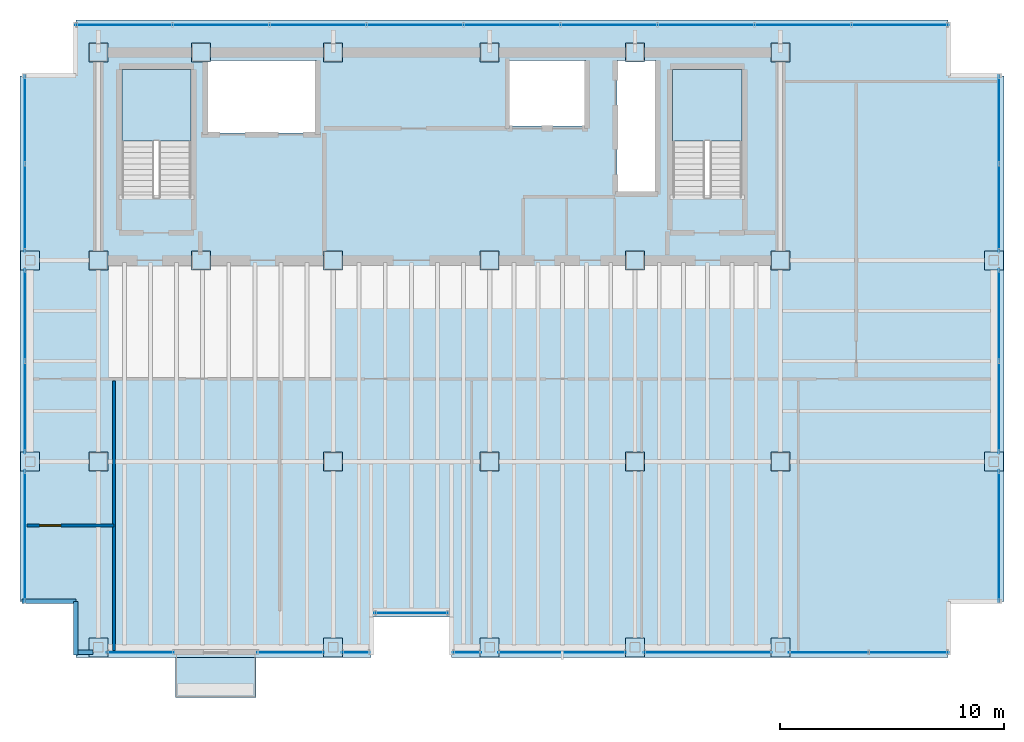
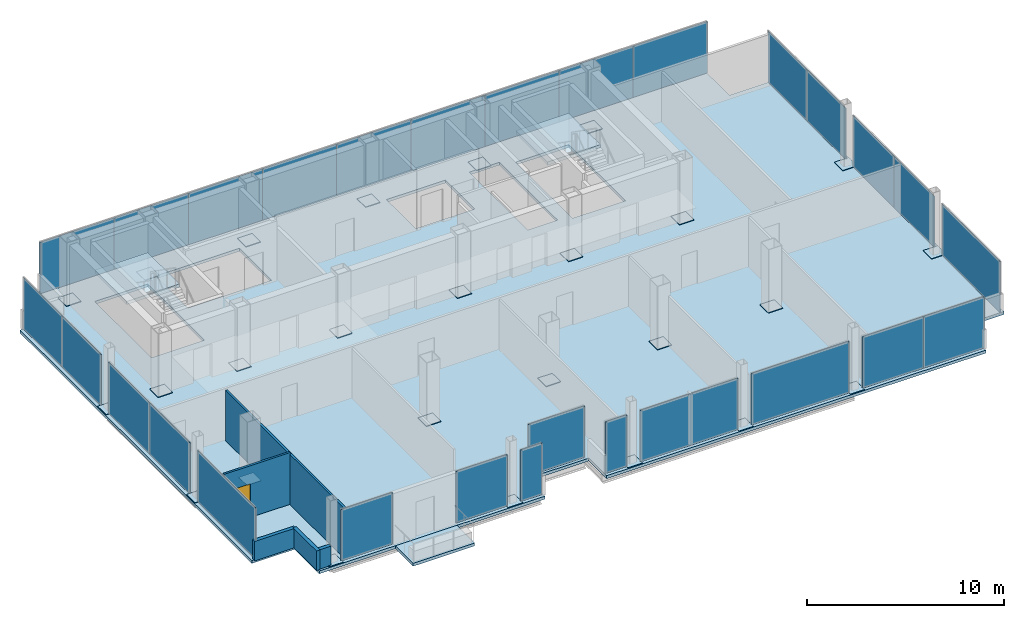
# One storey, part 12 of 15: 54 plates, 5 walls, 4 slabs, 1 door, 6 openings, 17 elements without a shape of their own.
"""IFC4 building model written with IfcOpenShell, lengths in metres."""

from ifc_helpers import new_model, si_unit, direction, frame, frame_2d, origin, origin_2d, place, context, subcontext, project, spatial, polyline, rectangle, outline, extrude, material, layer, layer_set, type_object, element, fill, aggregate, save


model = new_model("IFC4")

# Units and contexts
model_context = context("Model", 3, precision=1e-05, world=origin(), true_north=direction((0.0, 1.0)))
body_context = subcontext(model_context, "Body", "Model", "MODEL_VIEW")
ifc_project = project(units=[si_unit("LENGTHUNIT", "METRE"), si_unit("AREAUNIT", "SQUARE_METRE"), si_unit("VOLUMEUNIT", "CUBIC_METRE"), si_unit("PLANEANGLEUNIT", "RADIAN"), si_unit("MASSUNIT", "GRAM", prefix="KILO")], contexts=[model_context])

# Site, building, storey
site_placement = place(None, origin())
site = spatial("IfcSite", under=ifc_project, at=site_placement, CompositionType="ELEMENT")
building_placement = place(site_placement, origin())
building = spatial("IfcBuilding", under=site, at=building_placement, Name="Noeulbin Bourse Tower", CompositionType="ELEMENT")
storey_placement = place(building_placement, frame((0.0, 0.0, 215.0)))
storey = spatial("IfcBuildingStorey", under=building, at=storey_placement, Name="L53", CompositionType="ELEMENT", Elevation=215.0)

# Curtain wall, plate
ifc_material_1 = material(Name="High-Selectivity Low-Iron Glazing", Category="glass")
curtain_wall_type = type_object("IfcCurtainWallType", Name="CW-SYS-4", PredefinedType="NOTDEFINED", material=ifc_material_1)
curtain_wall_1_placement = place(storey_placement, origin())
curtain_wall_1 = element("IfcCurtainWall", 1, at=curtain_wall_1_placement, inside=storey, type_object=curtain_wall_type, Name="Unitised Curtain Wall CW-L53-SREC", PredefinedType="NOTDEFINED")
ifc_layer_1 = layer(ifc_material_1, 0.035888671875)
ifc_layer_set_1 = layer_set([ifc_layer_1], Name="High-Selectivity Low-Iron Glazing")
plate_type_1 = type_object("IfcPlateType", Name="CW-SYS-4-PNL", PredefinedType="CURTAIN_PANEL", material=ifc_layer_set_1)
plate_1_placement = place(storey_placement, frame((27.5, 13.22998046875, 0.0), z_axis=(0.0, 0.0, 1.0), x_axis=(1.0, 0.0, 0.0)))
plate_1 = element("IfcPlate", 2, at=plate_1_placement, type_object=plate_type_1, Name="Glazed Curtain Panel CW-L53-SREC-P00", PredefinedType="CURTAIN_PANEL", context=body_context, shape_type="SweptSolid", body=[
    extrude(rectangle(XDim=3.300048828125, YDim=0.035888671875, at=origin_2d()), origin(), (0.0, 0.0, 1.0), 3.179931640625),
])
aggregate(curtain_wall_1, [plate_1])

curtain_wall_2_placement = place(storey_placement, origin())
curtain_wall_2 = element("IfcCurtainWall", 3, at=curtain_wall_2_placement, inside=storey, type_object=curtain_wall_type, Name="Unitised Curtain Wall CW-L53-S1", PredefinedType="NOTDEFINED")
plate_2_placement = place(storey_placement, frame((15.392578125, 11.469970703125, 0.0), z_axis=(0.0, 0.0, 1.0), x_axis=(1.0, 0.0, 0.0)))
plate_2 = element("IfcPlate", 4, at=plate_2_placement, type_object=plate_type_1, Name="Glazed Curtain Panel CW-L53-S1-P00", PredefinedType="CURTAIN_PANEL", context=body_context, shape_type="SweptSolid", body=[
    extrude(rectangle(XDim=3.014892578125, YDim=0.035888671875, at=origin_2d()), origin(), (0.0, 0.0, 1.0), 3.179931640625),
])
aggregate(curtain_wall_2, [plate_2])

curtain_wall_3_placement = place(storey_placement, origin())
curtain_wall_3 = element("IfcCurtainWall", 5, at=curtain_wall_3_placement, inside=storey, type_object=curtain_wall_type, Name="Unitised Curtain Wall CW-L53-S2-S1", PredefinedType="NOTDEFINED")
plate_3_placement = place(storey_placement, frame((22.107421875, 11.469970703125, 0.0), z_axis=(0.0, 0.0, 1.0), x_axis=(1.0, 0.0, 0.0)))
plate_3 = element("IfcPlate", 6, at=plate_3_placement, type_object=plate_type_1, Name="Glazed Curtain Panel CW-L53-S2-S1-P00", PredefinedType="CURTAIN_PANEL", context=body_context, shape_type="SweptSolid", body=[
    extrude(rectangle(XDim=3.014892578125, YDim=0.035888671875, at=origin_2d()), origin(), (0.0, 0.0, 1.0), 3.179931640625),
])
aggregate(curtain_wall_3, [plate_3])

curtain_wall_4_placement = place(storey_placement, origin())
curtain_wall_4 = element("IfcCurtainWall", 7, at=curtain_wall_4_placement, inside=storey, type_object=curtain_wall_type, Name="Unitised Curtain Wall CW-L53-S2-S2", PredefinedType="NOTDEFINED")
plate_4_placement = place(storey_placement, frame((25.017578125, 11.469970703125, 0.0), z_axis=(0.0, 0.0, 1.0), x_axis=(1.0, 0.0, 0.0)))
plate_4 = element("IfcPlate", 8, at=plate_4_placement, type_object=plate_type_1, Name="Glazed Curtain Panel CW-L53-S2-S2-P00", PredefinedType="CURTAIN_PANEL", context=body_context, shape_type="SweptSolid", body=[
    extrude(rectangle(XDim=1.264892578125, YDim=0.035888671875, at=origin_2d()), origin(), (0.0, 0.0, 1.0), 3.179931640625),
])
aggregate(curtain_wall_4, [plate_4])

curtain_wall_5_placement = place(storey_placement, origin())
curtain_wall_5 = element("IfcCurtainWall", 9, at=curtain_wall_5_placement, inside=storey, type_object=curtain_wall_type, Name="Unitised Curtain Wall CW-L53-S3-S1", PredefinedType="NOTDEFINED")
plate_5_placement = place(storey_placement, frame((29.982421875, 11.469970703125, 0.0), z_axis=(0.0, 0.0, 1.0), x_axis=(1.0, 0.0, 0.0)))
plate_5 = element("IfcPlate", 10, at=plate_5_placement, type_object=plate_type_1, Name="Glazed Curtain Panel CW-L53-S3-S1-P00", PredefinedType="CURTAIN_PANEL", context=body_context, shape_type="SweptSolid", body=[
    extrude(rectangle(XDim=1.264892578125, YDim=0.035888671875, at=origin_2d()), origin(), (0.0, 0.0, 1.0), 3.179931640625),
])
aggregate(curtain_wall_5, [plate_5])

curtain_wall_6_placement = place(storey_placement, origin())
curtain_wall_6 = element("IfcCurtainWall", 11, at=curtain_wall_6_placement, inside=storey, type_object=curtain_wall_type, Name="Unitised Curtain Wall CW-L53-S3-S2", PredefinedType="NOTDEFINED")
plate_6_placement = place(storey_placement, frame((34.25, 11.469970703125, 0.0), z_axis=(0.0, 0.0, 1.0), x_axis=(1.0, 0.0, 0.0)))
plate_6 = element("IfcPlate", 12, at=plate_6_placement, type_object=plate_type_1, Name="Glazed Curtain Panel CW-L53-S3-S2-P00", PredefinedType="CURTAIN_PANEL", context=body_context, shape_type="SweptSolid", body=[
    extrude(rectangle(XDim=5.72998046875, YDim=0.035888671875, at=origin_2d()), origin(), (0.0, 0.0, 1.0), 3.179931640625),
])
aggregate(curtain_wall_6, [plate_6])

curtain_wall_7_placement = place(storey_placement, origin())
curtain_wall_7 = element("IfcCurtainWall", 13, at=curtain_wall_7_placement, inside=storey, type_object=curtain_wall_type, Name="Unitised Curtain Wall CW-L53-S3-S3", PredefinedType="NOTDEFINED")
plate_7_placement = place(storey_placement, frame((40.75, 11.469970703125, 0.0), z_axis=(0.0, 0.0, 1.0), x_axis=(1.0, 0.0, 0.0)))
plate_7 = element("IfcPlate", 14, at=plate_7_placement, type_object=plate_type_1, Name="Glazed Curtain Panel CW-L53-S3-S3-P00", PredefinedType="CURTAIN_PANEL", context=body_context, shape_type="SweptSolid", body=[
    extrude(rectangle(XDim=5.72998046875, YDim=0.035888671875, at=origin_2d()), origin(), (0.0, 0.0, 1.0), 3.179931640625),
])
aggregate(curtain_wall_7, [plate_7])

# Curtain wall, plates
curtain_wall_8_placement = place(storey_placement, origin())
curtain_wall_8 = element("IfcCurtainWall", 15, at=curtain_wall_8_placement, inside=storey, type_object=curtain_wall_type, Name="Unitised Curtain Wall CW-L53-S3-S4", PredefinedType="NOTDEFINED")
plate_8_placement = place(storey_placement, frame((46.168701171875, 11.469970703125, 0.0), z_axis=(0.0, 0.0, 1.0), x_axis=(1.0, 0.0, 0.0)))
plate_8 = element("IfcPlate", 16, at=plate_8_placement, type_object=plate_type_1, Name="Glazed Curtain Panel CW-L53-S3-S4-P00", PredefinedType="CURTAIN_PANEL", context=body_context, shape_type="SweptSolid", body=[
    extrude(rectangle(XDim=3.5673828125, YDim=0.035888671875, at=origin_2d()), origin(), (0.0, 0.0, 1.0), 3.179931640625),
])
plate_9_placement = place(storey_placement, frame((49.736083984375, 11.469970703125, 0.0), z_axis=(0.0, 0.0, 1.0), x_axis=(1.0, 0.0, 0.0)))
plate_9 = element("IfcPlate", 17, at=plate_9_placement, type_object=plate_type_1, Name="Glazed Curtain Panel CW-L53-S3-S4-P01", PredefinedType="CURTAIN_PANEL", context=body_context, shape_type="SweptSolid", body=[
    extrude(rectangle(XDim=3.5673828125, YDim=0.035888671875, at=origin_2d()), origin(), (0.0, 0.0, 1.0), 3.179931640625),
])
aggregate(curtain_wall_8, [plate_8, plate_9])

curtain_wall_9_placement = place(storey_placement, origin())
curtain_wall_9 = element("IfcCurtainWall", 18, at=curtain_wall_9_placement, inside=storey, type_object=curtain_wall_type, Name="Unitised Curtain Wall CW-L53-N", PredefinedType="NOTDEFINED")
plate_10_placement = place(storey_placement, frame((14.64892578125, 39.530029296875, 0.0), z_axis=(0.0, 0.0, 1.0), x_axis=(1.0, 0.0, 0.0)))
plate_10 = element("IfcPlate", 19, at=plate_10_placement, type_object=plate_type_1, Name="Glazed Curtain Panel CW-L53-N-P00", PredefinedType="CURTAIN_PANEL", context=body_context, shape_type="SweptSolid", body=[
    extrude(rectangle(XDim=4.337890625, YDim=0.035888671875, at=origin_2d()), origin(), (0.0, 0.0, 1.0), 3.179931640625),
])
plate_11_placement = place(storey_placement, frame((18.98681640625, 39.530029296875, 0.0), z_axis=(0.0, 0.0, 1.0), x_axis=(1.0, 0.0, 0.0)))
plate_11 = element("IfcPlate", 20, at=plate_11_placement, type_object=plate_type_1, Name="Glazed Curtain Panel CW-L53-N-P01", PredefinedType="CURTAIN_PANEL", context=body_context, shape_type="SweptSolid", body=[
    extrude(rectangle(XDim=4.337890625, YDim=0.035888671875, at=origin_2d()), origin(), (0.0, 0.0, 1.0), 3.179931640625),
])
plate_12_placement = place(storey_placement, frame((23.324462890625, 39.530029296875, 0.0), z_axis=(0.0, 0.0, 1.0), x_axis=(1.0, 0.0, 0.0)))
plate_12 = element("IfcPlate", 21, at=plate_12_placement, type_object=plate_type_1, Name="Glazed Curtain Panel CW-L53-N-P02", PredefinedType="CURTAIN_PANEL", context=body_context, shape_type="SweptSolid", body=[
    extrude(rectangle(XDim=4.337890625, YDim=0.035888671875, at=origin_2d()), origin(), (0.0, 0.0, 1.0), 3.179931640625),
])
plate_13_placement = place(storey_placement, frame((27.662109375, 39.530029296875, 0.0), z_axis=(0.0, 0.0, 1.0), x_axis=(1.0, 0.0, 0.0)))
plate_13 = element("IfcPlate", 22, at=plate_13_placement, type_object=plate_type_1, Name="Glazed Curtain Panel CW-L53-N-P03", PredefinedType="CURTAIN_PANEL", context=body_context, shape_type="SweptSolid", body=[
    extrude(rectangle(XDim=4.337890625, YDim=0.035888671875, at=origin_2d()), origin(), (0.0, 0.0, 1.0), 3.179931640625),
])
plate_14_placement = place(storey_placement, frame((32.0, 39.530029296875, 0.0), z_axis=(0.0, 0.0, 1.0), x_axis=(1.0, 0.0, 0.0)))
plate_14 = element("IfcPlate", 23, at=plate_14_placement, type_object=plate_type_1, Name="Glazed Curtain Panel CW-L53-N-P04", PredefinedType="CURTAIN_PANEL", context=body_context, shape_type="SweptSolid", body=[
    extrude(rectangle(XDim=4.337890625, YDim=0.035888671875, at=origin_2d()), origin(), (0.0, 0.0, 1.0), 3.179931640625),
])
plate_15_placement = place(storey_placement, frame((36.337890625, 39.530029296875, 0.0), z_axis=(0.0, 0.0, 1.0), x_axis=(1.0, 0.0, 0.0)))
plate_15 = element("IfcPlate", 24, at=plate_15_placement, type_object=plate_type_1, Name="Glazed Curtain Panel CW-L53-N-P05", PredefinedType="CURTAIN_PANEL", context=body_context, shape_type="SweptSolid", body=[
    extrude(rectangle(XDim=4.337890625, YDim=0.035888671875, at=origin_2d()), origin(), (0.0, 0.0, 1.0), 3.179931640625),
])
plate_16_placement = place(storey_placement, frame((40.675537109375, 39.530029296875, 0.0), z_axis=(0.0, 0.0, 1.0), x_axis=(1.0, 0.0, 0.0)))
plate_16 = element("IfcPlate", 25, at=plate_16_placement, type_object=plate_type_1, Name="Glazed Curtain Panel CW-L53-N-P06", PredefinedType="CURTAIN_PANEL", context=body_context, shape_type="SweptSolid", body=[
    extrude(rectangle(XDim=4.337890625, YDim=0.035888671875, at=origin_2d()), origin(), (0.0, 0.0, 1.0), 3.179931640625),
])
plate_17_placement = place(storey_placement, frame((45.01318359375, 39.530029296875, 0.0), z_axis=(0.0, 0.0, 1.0), x_axis=(1.0, 0.0, 0.0)))
plate_17 = element("IfcPlate", 26, at=plate_17_placement, type_object=plate_type_1, Name="Glazed Curtain Panel CW-L53-N-P07", PredefinedType="CURTAIN_PANEL", context=body_context, shape_type="SweptSolid", body=[
    extrude(rectangle(XDim=4.337890625, YDim=0.035888671875, at=origin_2d()), origin(), (0.0, 0.0, 1.0), 3.179931640625),
])
plate_18_placement = place(storey_placement, frame((49.35107421875, 39.530029296875, 0.0), z_axis=(0.0, 0.0, 1.0), x_axis=(1.0, 0.0, 0.0)))
plate_18 = element("IfcPlate", 27, at=plate_18_placement, type_object=plate_type_1, Name="Glazed Curtain Panel CW-L53-N-P08", PredefinedType="CURTAIN_PANEL", context=body_context, shape_type="SweptSolid", body=[
    extrude(rectangle(XDim=4.337890625, YDim=0.035888671875, at=origin_2d()), origin(), (0.0, 0.0, 1.0), 3.179931640625),
])
aggregate(curtain_wall_9, [plate_10, plate_11, plate_12, plate_13, plate_14, plate_15, plate_16, plate_17, plate_18])

# Curtain wall, plate
curtain_wall_10_placement = place(storey_placement, origin())
curtain_wall_10 = element("IfcCurtainWall", 28, at=curtain_wall_10_placement, inside=storey, type_object=curtain_wall_type, Name="Unitised Curtain Wall CW-L53-W-S1", PredefinedType="NOTDEFINED")
plate_19_placement = place(storey_placement, frame((10.219970703125, 16.672607421875, 0.0), z_axis=(0.0, 0.0, 1.0), x_axis=(0.0, 1.0, 0.0)))
plate_19 = element("IfcPlate", 29, at=plate_19_placement, type_object=plate_type_1, Name="Glazed Curtain Panel CW-L53-W-S1-P00", PredefinedType="CURTAIN_PANEL", context=body_context, shape_type="SweptSolid", body=[
    extrude(rectangle(XDim=5.885009765625, YDim=0.035888671875, at=origin_2d()), origin(), (0.0, 0.0, 1.0), 3.179931640625),
])
aggregate(curtain_wall_10, [plate_19])

# Curtain wall, plates
curtain_wall_11_placement = place(storey_placement, origin())
curtain_wall_11 = element("IfcCurtainWall", 30, at=curtain_wall_11_placement, inside=storey, type_object=curtain_wall_type, Name="Unitised Curtain Wall CW-L53-W-S2", PredefinedType="NOTDEFINED")
plate_20_placement = place(storey_placement, frame((10.219970703125, 22.4423828125, 0.0), z_axis=(0.0, 0.0, 1.0), x_axis=(0.0, 1.0, 0.0)))
plate_20 = element("IfcPlate", 31, at=plate_20_placement, type_object=plate_type_1, Name="Glazed Curtain Panel CW-L53-W-S2-P00", PredefinedType="CURTAIN_PANEL", context=body_context, shape_type="SweptSolid", body=[
    extrude(rectangle(XDim=4.114990234375, YDim=0.035888671875, at=origin_2d()), origin(), (0.0, 0.0, 1.0), 3.179931640625),
])
plate_21_placement = place(storey_placement, frame((10.219970703125, 26.5576171875, 0.0), z_axis=(0.0, 0.0, 1.0), x_axis=(0.0, 1.0, 0.0)))
plate_21 = element("IfcPlate", 32, at=plate_21_placement, type_object=plate_type_1, Name="Glazed Curtain Panel CW-L53-W-S2-P01", PredefinedType="CURTAIN_PANEL", context=body_context, shape_type="SweptSolid", body=[
    extrude(rectangle(XDim=4.114990234375, YDim=0.035888671875, at=origin_2d()), origin(), (0.0, 0.0, 1.0), 3.179931640625),
])
aggregate(curtain_wall_11, [plate_20, plate_21])

curtain_wall_12_placement = place(storey_placement, origin())
curtain_wall_12 = element("IfcCurtainWall", 33, at=curtain_wall_12_placement, inside=storey, type_object=curtain_wall_type, Name="Unitised Curtain Wall CW-L53-W-S3", PredefinedType="NOTDEFINED")
plate_22_placement = place(storey_placement, frame((10.219970703125, 31.356201171875, 0.0), z_axis=(0.0, 0.0, 1.0), x_axis=(0.0, 1.0, 0.0)))
plate_22 = element("IfcPlate", 34, at=plate_22_placement, type_object=plate_type_1, Name="Glazed Curtain Panel CW-L53-W-S3-P00", PredefinedType="CURTAIN_PANEL", context=body_context, shape_type="SweptSolid", body=[
    extrude(rectangle(XDim=3.9423828125, YDim=0.035888671875, at=origin_2d()), origin(), (0.0, 0.0, 1.0), 3.179931640625),
])
plate_23_placement = place(storey_placement, frame((10.219970703125, 35.298828125, 0.0), z_axis=(0.0, 0.0, 1.0), x_axis=(0.0, 1.0, 0.0)))
plate_23 = element("IfcPlate", 35, at=plate_23_placement, type_object=plate_type_1, Name="Glazed Curtain Panel CW-L53-W-S3-P01", PredefinedType="CURTAIN_PANEL", context=body_context, shape_type="SweptSolid", body=[
    extrude(rectangle(XDim=3.9423828125, YDim=0.035888671875, at=origin_2d()), origin(), (0.0, 0.0, 1.0), 3.179931640625),
])
aggregate(curtain_wall_12, [plate_22, plate_23])

# Curtain wall, plate
curtain_wall_13_placement = place(storey_placement, origin())
curtain_wall_13 = element("IfcCurtainWall", 36, at=curtain_wall_13_placement, inside=storey, type_object=curtain_wall_type, Name="Unitised Curtain Wall CW-L53-E-S1", PredefinedType="NOTDEFINED")
plate_24_placement = place(storey_placement, frame((53.780029296875, 16.672607421875, 0.0), z_axis=(0.0, 0.0, 1.0), x_axis=(0.0, 1.0, 0.0)))
plate_24 = element("IfcPlate", 37, at=plate_24_placement, type_object=plate_type_1, Name="Glazed Curtain Panel CW-L53-E-S1-P00", PredefinedType="CURTAIN_PANEL", context=body_context, shape_type="SweptSolid", body=[
    extrude(rectangle(XDim=5.885009765625, YDim=0.035888671875, at=origin_2d()), origin(), (0.0, 0.0, 1.0), 3.179931640625),
])
aggregate(curtain_wall_13, [plate_24])

# Curtain wall, plates
curtain_wall_14_placement = place(storey_placement, origin())
curtain_wall_14 = element("IfcCurtainWall", 38, at=curtain_wall_14_placement, inside=storey, type_object=curtain_wall_type, Name="Unitised Curtain Wall CW-L53-E-S2", PredefinedType="NOTDEFINED")
plate_25_placement = place(storey_placement, frame((53.780029296875, 22.4423828125, 0.0), z_axis=(0.0, 0.0, 1.0), x_axis=(0.0, 1.0, 0.0)))
plate_25 = element("IfcPlate", 39, at=plate_25_placement, type_object=plate_type_1, Name="Glazed Curtain Panel CW-L53-E-S2-P00", PredefinedType="CURTAIN_PANEL", context=body_context, shape_type="SweptSolid", body=[
    extrude(rectangle(XDim=4.114990234375, YDim=0.035888671875, at=origin_2d()), origin(), (0.0, 0.0, 1.0), 3.179931640625),
])
plate_26_placement = place(storey_placement, frame((53.780029296875, 26.5576171875, 0.0), z_axis=(0.0, 0.0, 1.0), x_axis=(0.0, 1.0, 0.0)))
plate_26 = element("IfcPlate", 40, at=plate_26_placement, type_object=plate_type_1, Name="Glazed Curtain Panel CW-L53-E-S2-P01", PredefinedType="CURTAIN_PANEL", context=body_context, shape_type="SweptSolid", body=[
    extrude(rectangle(XDim=4.114990234375, YDim=0.035888671875, at=origin_2d()), origin(), (0.0, 0.0, 1.0), 3.179931640625),
])
aggregate(curtain_wall_14, [plate_25, plate_26])

curtain_wall_15_placement = place(storey_placement, origin())
curtain_wall_15 = element("IfcCurtainWall", 41, at=curtain_wall_15_placement, inside=storey, type_object=curtain_wall_type, Name="Unitised Curtain Wall CW-L53-E-S3", PredefinedType="NOTDEFINED")
plate_27_placement = place(storey_placement, frame((53.780029296875, 31.356201171875, 0.0), z_axis=(0.0, 0.0, 1.0), x_axis=(0.0, 1.0, 0.0)))
plate_27 = element("IfcPlate", 42, at=plate_27_placement, type_object=plate_type_1, Name="Glazed Curtain Panel CW-L53-E-S3-P00", PredefinedType="CURTAIN_PANEL", context=body_context, shape_type="SweptSolid", body=[
    extrude(rectangle(XDim=3.9423828125, YDim=0.035888671875, at=origin_2d()), origin(), (0.0, 0.0, 1.0), 3.179931640625),
])
plate_28_placement = place(storey_placement, frame((53.780029296875, 35.298828125, 0.0), z_axis=(0.0, 0.0, 1.0), x_axis=(0.0, 1.0, 0.0)))
plate_28 = element("IfcPlate", 43, at=plate_28_placement, type_object=plate_type_1, Name="Glazed Curtain Panel CW-L53-E-S3-P01", PredefinedType="CURTAIN_PANEL", context=body_context, shape_type="SweptSolid", body=[
    extrude(rectangle(XDim=3.9423828125, YDim=0.035888671875, at=origin_2d()), origin(), (0.0, 0.0, 1.0), 3.179931640625),
])
aggregate(curtain_wall_15, [plate_27, plate_28])

# Plates
ifc_material_2 = material(Name="Steel S355", Category="steel")
ifc_layer_2 = layer(ifc_material_2, 0.030029296875)
ifc_layer_set_2 = layer_set([ifc_layer_2], Name="Steel S355")
plate_type_2 = type_object("IfcPlateType", Name="PLT-BN1", PredefinedType="USERDEFINED", material=ifc_layer_set_2)
for number, where, z_axis, x_axis, name in (
    (44, (13.5, 29.0, 0.0048828125), (0.0, 0.0, 1.0), (1.0, 0.0, 0.0), "Mega-Column Splice Plate BN1-L53-01"),
    (45, (13.5, 38.300048828125, 0.0048828125), (0.0, 0.0, 1.0), (1.0, 0.0, 0.0), "Mega-Column Splice Plate BN1-L53-02"),
    (46, (18.10009765625, 29.0, 0.0048828125), (0.0, 0.0, 1.0), (1.0, 0.0, 0.0), "Mega-Column Splice Plate BN1-L53-03"),
    (47, (18.10009765625, 38.300048828125, 0.0048828125), (0.0, 0.0, 1.0), (1.0, 0.0, 0.0), "Mega-Column Splice Plate BN1-L53-04"),
    (48, (24.0, 29.0, 0.0048828125), (0.0, 0.0, 1.0), (1.0, 0.0, 0.0), "Mega-Column Splice Plate BN1-L53-05"),
    (49, (24.0, 38.300048828125, 0.0048828125), (0.0, 0.0, 1.0), (1.0, 0.0, 0.0), "Mega-Column Splice Plate BN1-L53-06"),
    (50, (31.0, 29.0, 0.0048828125), (0.0, 0.0, 1.0), (1.0, 0.0, 0.0), "Mega-Column Splice Plate BN1-L53-07"),
    (51, (31.0, 38.300048828125, 0.0048828125), (0.0, 0.0, 1.0), (1.0, 0.0, 0.0), "Mega-Column Splice Plate BN1-L53-08"),
    (52, (37.5, 29.0, 0.0048828125), (0.0, 0.0, 1.0), (1.0, 0.0, 0.0), "Mega-Column Splice Plate BN1-L53-09"),
    (53, (37.5, 38.300048828125, 0.0048828125), (0.0, 0.0, 1.0), (1.0, 0.0, 0.0), "Mega-Column Splice Plate BN1-L53-10"),
    (54, (44.0, 29.0, 0.0048828125), (0.0, 0.0, 1.0), (1.0, 0.0, 0.0), "Mega-Column Splice Plate BN1-L53-11"),
    (55, (44.0, 38.300048828125, 0.0048828125), (0.0, 0.0, 1.0), (1.0, 0.0, 0.0), "Mega-Column Splice Plate BN1-L53-12"),
    (56, (13.5, 20.0, 0.0048828125), (0.0, 0.0, 1.0), (1.0, 0.0, 0.0), "Mega-Column Splice Plate BN1-L53-13"),
    (57, (24.0, 20.0, 0.0048828125), (0.0, 0.0, 1.0), (1.0, 0.0, 0.0), "Mega-Column Splice Plate BN1-L53-14"),
    (58, (31.0, 20.0, 0.0048828125), (0.0, 0.0, 1.0), (1.0, 0.0, 0.0), "Mega-Column Splice Plate BN1-L53-15"),
    (59, (37.5, 20.0, 0.0048828125), (0.0, 0.0, 1.0), (1.0, 0.0, 0.0), "Mega-Column Splice Plate BN1-L53-16"),
    (60, (44.0, 20.0, 0.0048828125), (0.0, 0.0, 1.0), (1.0, 0.0, 0.0), "Mega-Column Splice Plate BN1-L53-17"),
    (61, (10.449951171875, 20.0, 0.0048828125), (0.0, 0.0, 1.0), (1.0, 0.0, 0.0), "Perimeter Column Splice Plate BN1-L53-01"),
    (62, (10.449951171875, 29.0, 0.0048828125), (0.0, 0.0, 1.0), (1.0, 0.0, 0.0), "Perimeter Column Splice Plate BN1-L53-02"),
    (63, (13.5, 11.699951171875, 0.0048828125), (0.0, 0.0, 1.0), (1.0, 0.0, 0.0), "Perimeter Column Splice Plate BN1-L53-03"),
    (64, (24.0, 11.699951171875, 0.0048828125), (0.0, 0.0, 1.0), (1.0, 0.0, 0.0), "Perimeter Column Splice Plate BN1-L53-04"),
    (65, (31.0, 11.699951171875, 0.0048828125), (0.0, 0.0, 1.0), (1.0, 0.0, 0.0), "Perimeter Column Splice Plate BN1-L53-05"),
    (66, (37.5, 11.699951171875, 0.0048828125), (0.0, 0.0, 1.0), (1.0, 0.0, 0.0), "Perimeter Column Splice Plate BN1-L53-06"),
    (67, (44.0, 11.699951171875, 0.0048828125), (0.0, 0.0, 1.0), (1.0, 0.0, 0.0), "Perimeter Column Splice Plate BN1-L53-07"),
    (68, (53.550048828125, 20.0, 0.0048828125), (0.0, 0.0, 1.0), (1.0, 0.0, 0.0), "Perimeter Column Splice Plate BN1-L53-08"),
    (69, (53.550048828125, 29.0, 0.0048828125), (0.0, 0.0, 1.0), (1.0, 0.0, 0.0), "Perimeter Column Splice Plate BN1-L53-09"),
):
    element("IfcPlate", number, at=place(storey_placement, frame(where, z_axis=z_axis, x_axis=x_axis)), inside=storey, type_object=plate_type_2, Name=name, ObjectType="SPLICE PLATE", PredefinedType="USERDEFINED", context=body_context, shape_type="SweptSolid", body=[
        extrude(rectangle(XDim=0.85009765625, YDim=0.85009765625, at=origin_2d()), origin(), (0.0, 0.0, 1.0), 0.030029296875),
    ])

# Stair, slab
ifc_material_3 = material(Name="Concrete C40/50", Category="concrete")
stair_type = type_object("IfcStairType", Name="STR-CORE-1560", PredefinedType="HALF_TURN_STAIR", material=ifc_material_3)
stair_1_placement = place(storey_placement, origin())
stair_1 = element("IfcStair", 70, at=stair_1_placement, inside=storey, type_object=stair_type, Name="L53 ST-1", PredefinedType="HALF_TURN_STAIR")
ifc_layer_3 = layer(ifc_material_3, 0.199951171875)
ifc_layer_set_3 = layer_set([ifc_layer_3], Name="Concrete C40/50")
slab_type_1 = type_object("IfcSlabType", Name="SLB-LND-200", PredefinedType="LANDING", material=ifc_layer_set_3)
slab_1_placement = place(storey_placement, frame((0.0, 0.0, 1.75)))
slab_1 = element("IfcSlab", 71, at=slab_1_placement, type_object=slab_type_1, Name="ST-1 landing 1", PredefinedType="LANDING", context=body_context, shape_type="SweptSolid", body=[
    extrude(outline(polyline([(17.64990234375, 34.330078125), (17.64990234375, 37.5439453125), (14.550048828125, 37.5439453125), (14.550048828125, 34.330078125), (17.64990234375, 34.330078125)])), origin(), (0.0, 0.0, 1.0), 0.199951171875),
])
aggregate(stair_1, [slab_1])

stair_2_placement = place(storey_placement, origin())
stair_2 = element("IfcStair", 72, at=stair_2_placement, inside=storey, type_object=stair_type, Name="L53 ST-2", PredefinedType="HALF_TURN_STAIR")
slab_2_placement = place(storey_placement, frame((0.0, 0.0, 1.75)))
slab_2 = element("IfcSlab", 73, at=slab_2_placement, type_object=slab_type_1, Name="ST-2 landing 1", PredefinedType="LANDING", context=body_context, shape_type="SweptSolid", body=[
    extrude(outline(polyline([(42.280029296875, 34.330078125), (42.280029296875, 37.5439453125), (39.179931640625, 37.5439453125), (39.179931640625, 34.330078125), (42.280029296875, 34.330078125)])), origin(), (0.0, 0.0, 1.0), 0.199951171875),
])
aggregate(stair_2, [slab_2])

# Slab, openings
ifc_layer_4 = layer(ifc_material_3, 0.179931640625)
ifc_layer_set_4 = layer_set([ifc_layer_4], Name="Concrete C40/50")
slab_type_2 = type_object("IfcSlabType", Name="SLB-TYP-180", PredefinedType="FLOOR", material=ifc_layer_set_4)
slab_3_placement = place(storey_placement, frame((0.0, 0.0, -0.179931640625)))
slab_3 = element("IfcSlab", 74, at=slab_3_placement, inside=storey, type_object=slab_type_2, Name="Tower Structural Floor Slab L53", PredefinedType="FLOOR", context=body_context, shape_type="SweptSolid", body=[
    extrude(outline(polyline([(12.5, 11.25), (25.699951171875, 11.25), (25.699951171875, 13.050048828125), (29.300048828125, 13.050048828125), (29.300048828125, 11.25), (51.5, 11.25), (51.5, 13.75), (54.0, 13.75), (54.0, 37.25), (51.5, 37.25), (51.5, 39.75), (12.5, 39.75), (12.5, 37.25), (10.0, 37.25), (10.0, 13.75), (12.5, 13.75), (12.5, 11.25)]), holes=[polyline([(17.64990234375, 31.81005859375), (17.64990234375, 37.5439453125), (14.550048828125, 37.5439453125), (14.550048828125, 31.81005859375), (17.64990234375, 31.81005859375)]), polyline([(42.280029296875, 31.81005859375), (42.280029296875, 37.5439453125), (39.179931640625, 37.5439453125), (39.179931640625, 31.81005859375), (42.280029296875, 31.81005859375)]), polyline([(18.35009765625, 34.699951171875), (23.25, 34.699951171875), (23.25, 37.949951171875), (18.35009765625, 37.949951171875), (18.35009765625, 34.699951171875)]), polyline([(36.699951171875, 32.050048828125), (38.449951171875, 32.050048828125), (38.449951171875, 37.949951171875), (36.699951171875, 37.949951171875), (36.699951171875, 32.050048828125)]), polyline([(31.85009765625, 35.0), (35.300048828125, 35.0), (35.300048828125, 37.949951171875), (31.85009765625, 37.949951171875), (31.85009765625, 35.0)])]), origin(), (0.0, 0.0, 1.0), 0.179931640625),
])
opening_1_placement = place(slab_3_placement, frame((0.0, 0.0, -0.010009765625)))
element("IfcOpeningElement", 75, at=opening_1_placement, cuts=slab_3, Name="Slab Shaft Opening SLB-L53-TWR-1", PredefinedType="OPENING", context=body_context, shape_type="SweptSolid", body=[
    extrude(outline(polyline([(17.64990234375, 31.81005859375), (17.64990234375, 37.5439453125), (14.550048828125, 37.5439453125), (14.550048828125, 31.81005859375), (17.64990234375, 31.81005859375)])), origin(), (0.0, 0.0, 1.0), 0.199951171875),
])
opening_2_placement = place(slab_3_placement, frame((0.0, 0.0, -0.010009765625)))
element("IfcOpeningElement", 76, at=opening_2_placement, cuts=slab_3, Name="Slab Shaft Opening SLB-L53-TWR-2", PredefinedType="OPENING", context=body_context, shape_type="SweptSolid", body=[
    extrude(outline(polyline([(42.280029296875, 31.81005859375), (42.280029296875, 37.5439453125), (39.179931640625, 37.5439453125), (39.179931640625, 31.81005859375), (42.280029296875, 31.81005859375)])), origin(), (0.0, 0.0, 1.0), 0.199951171875),
])
opening_3_placement = place(slab_3_placement, frame((0.0, 0.0, -0.010009765625)))
element("IfcOpeningElement", 77, at=opening_3_placement, cuts=slab_3, Name="Slab Shaft Opening SLB-L53-TWR-3", PredefinedType="OPENING", context=body_context, shape_type="SweptSolid", body=[
    extrude(outline(polyline([(18.35009765625, 34.699951171875), (23.25, 34.699951171875), (23.25, 37.949951171875), (18.35009765625, 37.949951171875), (18.35009765625, 34.699951171875)])), origin(), (0.0, 0.0, 1.0), 0.199951171875),
])
opening_4_placement = place(slab_3_placement, frame((0.0, 0.0, -0.010009765625)))
element("IfcOpeningElement", 78, at=opening_4_placement, cuts=slab_3, Name="Slab Shaft Opening SLB-L53-TWR-4", PredefinedType="OPENING", context=body_context, shape_type="SweptSolid", body=[
    extrude(outline(polyline([(36.699951171875, 32.050048828125), (38.449951171875, 32.050048828125), (38.449951171875, 37.949951171875), (36.699951171875, 37.949951171875), (36.699951171875, 32.050048828125)])), origin(), (0.0, 0.0, 1.0), 0.199951171875),
])
opening_5_placement = place(slab_3_placement, frame((0.0, 0.0, -0.010009765625)))
element("IfcOpeningElement", 79, at=opening_5_placement, cuts=slab_3, Name="Slab Shaft Opening SLB-L53-TWR-5", PredefinedType="OPENING", context=body_context, shape_type="SweptSolid", body=[
    extrude(outline(polyline([(31.85009765625, 35.0), (35.300048828125, 35.0), (35.300048828125, 37.949951171875), (31.85009765625, 37.949951171875), (31.85009765625, 35.0)])), origin(), (0.0, 0.0, 1.0), 0.199951171875),
])

# Slab
slab_4_placement = place(storey_placement, frame((0.0, 0.0, -0.179931640625)))
element("IfcSlab", 80, at=slab_4_placement, inside=storey, type_object=slab_type_2, Name="Cantilevered Tree-Balcony Slab L53", PredefinedType="FLOOR", context=body_context, shape_type="SweptSolid", body=[
    extrude(outline(polyline([(16.949951171875, 9.449951171875), (20.550048828125, 9.449951171875), (20.550048828125, 11.25), (16.949951171875, 11.25), (16.949951171875, 9.449951171875)])), origin(), (0.0, 0.0, 1.0), 0.179931640625),
])

# Walls
ifc_layer_5 = layer(ifc_material_3, 0.199951171875)
ifc_layer_set_5 = layer_set([ifc_layer_5], Name="Concrete C40/50")
wall_type_1 = type_object("IfcWallType", Name="WAL-PAR-200", PredefinedType="PARAPET", material=ifc_layer_set_5)
wall_1_placement = place(storey_placement, frame((12.60009765625, 11.469970703125, 0.0), z_axis=(0.0, 0.0, 1.0), x_axis=(1.0, 0.0, 0.0)))
element("IfcWall", 81, at=wall_1_placement, inside=storey, type_object=wall_type_1, Name="Perimeter Pier Spandrel Parapet L53-S1", PredefinedType="PARAPET", context=body_context, shape_type="SweptSolid", body=[
    extrude(rectangle(XDim=0.65478515625, YDim=0.199951171875, at=frame_2d((0.327392578125, 0.0))), origin(), (0.0, 0.0, 1.0), 1.199951171875),
])
for number, where, z_axis, x_axis, name in (
    (82, (10.10009765625, 13.75, 0.0), (0.0, 0.0, 1.0), (1.0, 0.0, 0.0), "Corner Notch Parapet L53-SW1"),
    (83, (12.5, 13.75, 0.0), (0.0, 0.0, 1.0), (0.0, -1.0, 0.0), "Corner Notch Parapet L53-SW2"),
):
    element("IfcWall", number, at=place(storey_placement, frame(where, z_axis=z_axis, x_axis=x_axis)), inside=storey, type_object=wall_type_1, Name=name, PredefinedType="PARAPET", context=body_context, shape_type="SweptSolid", body=[
        extrude(rectangle(XDim=2.39990234375, YDim=0.199951171875, at=frame_2d((1.199951171875, 0.0))), origin(), (0.0, 0.0, 1.0), 1.199951171875),
    ])

# Wall, opening, door
ifc_material_4 = material(Name="Steel Stud Gypsum Partition", Category="steel")
ifc_layer_6 = layer(ifc_material_4, 0.1201171875)
ifc_layer_set_6 = layer_set([ifc_layer_6], Name="Steel Stud Gypsum Partition")
wall_type_2 = type_object("IfcWallType", Name="WAL-PRT-120", PredefinedType="PARTITIONING", material=ifc_layer_set_6)
wall_2_placement = place(storey_placement, frame((10.31005859375, 17.14404296875, 0.0), z_axis=(0.0, 0.0, 1.0), x_axis=(1.0, 0.0, 0.0)))
wall_2 = element("IfcWall", 84, at=wall_2_placement, inside=storey, type_object=wall_type_2, Name="Interior Partition Wall L53-06", PredefinedType="PARTITIONING", context=body_context, shape_type="SweptSolid", body=[
    extrude(rectangle(XDim=3.889892578125, YDim=0.1201171875, at=frame_2d((1.94482421875, 0.0))), origin(), (0.0, 0.0, 1.0), 3.199951171875),
])
opening_6_placement = place(wall_2_placement, frame((0.570068359375, 0.0, 0.0)))
opening_6 = element("IfcOpeningElement", 85, at=opening_6_placement, cuts=wall_2, Name="Opening ID-09", PredefinedType="OPENING", context=body_context, shape_type="SweptSolid", body=[
    extrude(rectangle(XDim=0.949951171875, YDim=2.080078125, at=frame_2d((0.47509765625, 1.0400390625))), frame((0.0, 0.070068359375, 0.0), z_axis=(0.0, -1.0, 0.0), x_axis=(1.0, 0.0, 0.0)), (0.0, 0.0, 1.0), 0.14013671875),
])
ifc_material_5 = material(Name="Acoustic Solid-Core Timber", Category="wood")
door_type = type_object("IfcDoorType", Name="DR-SINGLE-950", OperationType="SINGLE_SWING_LEFT", PredefinedType="DOOR", material=ifc_material_5)
door_placement = place(opening_6_placement, origin())
door = element("IfcDoor", 86, at=door_placement, inside=storey, type_object=door_type, Name="Interior Door L53-08", OperationType="SINGLE_SWING_LEFT", OverallHeight=2.080078125, OverallWidth=0.949951171875, PredefinedType="DOOR", context=body_context, shape_type="SweptSolid", body=[
    extrude(rectangle(XDim=0.949951171875, YDim=2.080078125, at=frame_2d((0.47509765625, 1.0400390625))), frame((0.0, 0.02490234375, 0.0), z_axis=(0.0, -1.0, 0.0), x_axis=(1.0, 0.0, 0.0)), (0.0, 0.0, 1.0), 0.050048828125),
])
fill(opening_6, door)

# Wall
wall_3_placement = place(storey_placement, frame((14.199951171875, 11.56005859375, 0.0), z_axis=(0.0, 0.0, 1.0), x_axis=(0.0, 1.0, 0.0)))
element("IfcWall", 87, at=wall_3_placement, inside=storey, type_object=wall_type_2, Name="Interior Partition Wall L53-14", PredefinedType="PARTITIONING", context=body_context, shape_type="SweptSolid", body=[
    extrude(rectangle(XDim=12.054931640625, YDim=0.1201171875, at=frame_2d((6.02734375, 0.0))), origin(), (0.0, 0.0, 1.0), 3.10009765625),
])

save(model, "model.ifc")
